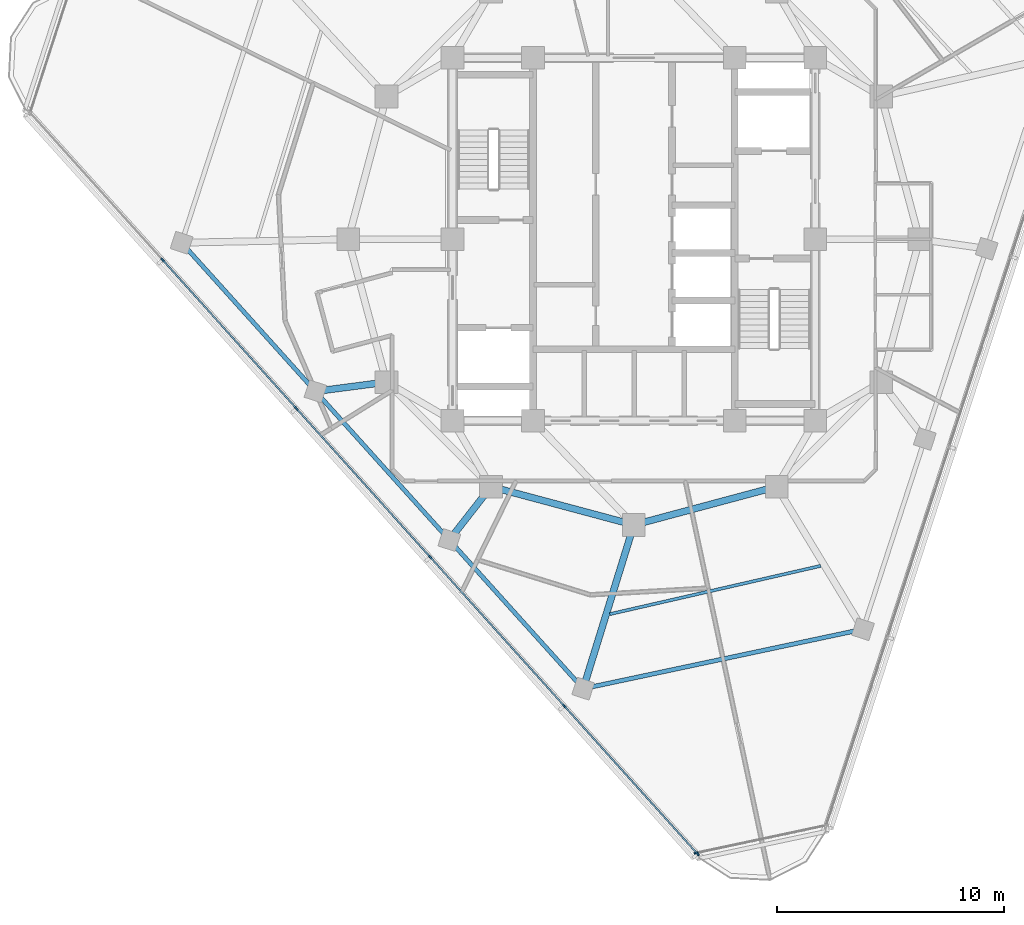
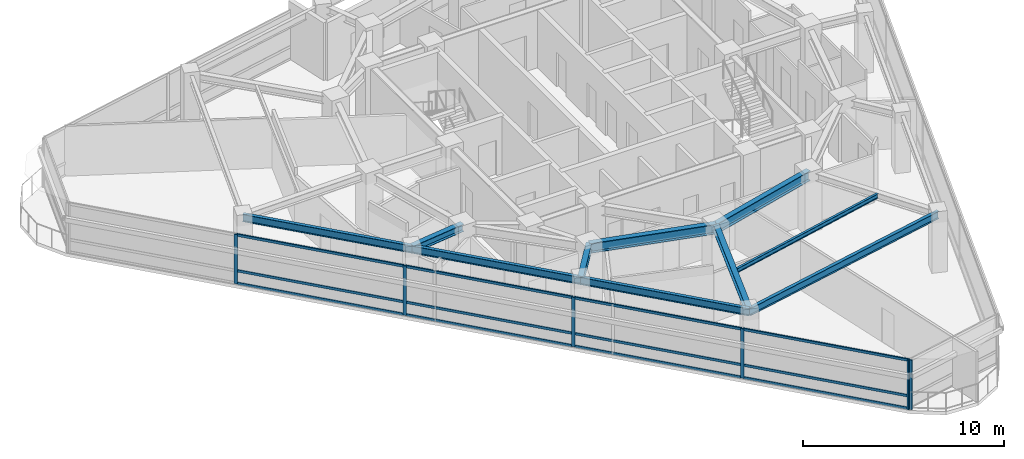
# One storey, part 2 of 15: 18 members, 10 beams, 2 elements without a shape of their own.
"""IFC4 building model written with IfcOpenShell, lengths in metres."""

from ifc_helpers import new_model, si_unit, direction, frame, origin, origin_2d, place, context, subcontext, project, spatial, rectangle, i_section, extrude, material, layer, layer_set, material_profile, profile_set, type_object, element, aggregate, save


model = new_model("IFC4")

# Units and contexts
model_context = context("Model", 3, precision=1e-05, world=origin(), true_north=direction((0.0, 1.0)))
body_context = subcontext(model_context, "Body", "Model", "MODEL_VIEW")
ifc_project = project(units=[si_unit("LENGTHUNIT", "METRE"), si_unit("AREAUNIT", "SQUARE_METRE"), si_unit("VOLUMEUNIT", "CUBIC_METRE"), si_unit("PLANEANGLEUNIT", "RADIAN"), si_unit("MASSUNIT", "GRAM", prefix="KILO")], contexts=[model_context])

# Site, building, storey
site_placement = place(None, origin())
site = spatial("IfcSite", under=ifc_project, at=site_placement, CompositionType="ELEMENT")
building_placement = place(site_placement, origin())
building = spatial("IfcBuilding", under=site, at=building_placement, Name="Terralouvre Media Tower", CompositionType="ELEMENT")
storey_placement = place(building_placement, frame((0.0, 0.0, 305.39990234375)))
storey = spatial("IfcBuildingStorey", under=building, at=storey_placement, Name="L79", CompositionType="ELEMENT", Elevation=305.39990234375)

# Beam
ifc_material_1 = material(Name="Structural steel S355J2", Category="steel")
ifc_material_profile_1 = material_profile(ifc_material_1, i_section(OverallWidth=0.135009765625, OverallDepth=0.27001953125, WebThickness=0.006591796875, FlangeThickness=0.01025390625, at=origin_2d()), Name="IPE 270")
ifc_profile_set_1 = profile_set([ifc_material_profile_1], Name="Structural steel S355J2")
beam_type_1 = type_object("IfcBeamType", Name="Composite Floor Joist J-IPE270 (IPE 270)", PredefinedType="JOIST", material=ifc_profile_set_1)
beam_1_placement = place(storey_placement, frame((-1.062744140625, -16.534912109375, 3.364990234375), z_axis=(0.974794010314, 0.223106784873, 0.0), x_axis=(-0.223106784873, 0.974794010314, 0.0)))
element("IfcBeam", 1, at=beam_1_placement, inside=storey, type_object=beam_type_1, Name="L79 Framing Beam JT-L79-02", PredefinedType="JOIST", context=body_context, shape_type="SweptSolid", body=[
    extrude(i_section(OverallWidth=0.135009765625, OverallDepth=0.27001953125, WebThickness=0.006591796875, FlangeThickness=0.01025390625, at=origin_2d()), origin(), (0.0, 0.0, 1.0), 9.544189453125),
])

# Curtain wall, members
ifc_material_2 = material(Name="Low-iron laminated double glazing with solar-control coating", Category="glass")
ifc_layer_1 = layer(ifc_material_2, 0.1650390625, Name="Faceted Glass-Point Crown Curtain Wall CW-06")
ifc_layer_set_1 = layer_set([ifc_layer_1], Name="Low-iron laminated double glazing with solar-control coating")
curtain_wall_type_1 = type_object("IfcCurtainWallType", Name="Faceted Glass-Point Crown Curtain Wall CW-06", PredefinedType="NOTDEFINED", material=ifc_layer_set_1)
curtain_wall_1_placement = place(storey_placement, origin())
curtain_wall_1 = element("IfcCurtainWall", 2, at=curtain_wall_1_placement, inside=storey, type_object=curtain_wall_type_1, Name="L79 Facade Curtain Wall F2", PredefinedType="NOTDEFINED")
ifc_material_3 = material(Name="Anodised extruded aluminium 6063-T6", Category="aluminium")
ifc_material_profile_2 = material_profile(ifc_material_3, rectangle(XDim=0.074951171875, YDim=0.14990234375, at=origin_2d()), Name="ALU 75x150")
ifc_profile_set_2 = profile_set([ifc_material_profile_2], Name="Anodised extruded aluminium 6063-T6")
member_type_1 = type_object("IfcMemberType", Name="Curtain-Wall Horizontal Transom TR-150", PredefinedType="USERDEFINED", material=ifc_profile_set_2)
member_1_placement = place(storey_placement, frame((-20.763671875, -0.935302734375, 0.03759765625), z_axis=(0.669121968521, -0.74315260293, 0.0), x_axis=(0.74315260293, 0.669121968521, 0.0)))
member_1 = element("IfcMember", 3, at=member_1_placement, type_object=member_type_1, Name="CW-06 transom 2.1", ObjectType="TRANSOM", PredefinedType="USERDEFINED", context=body_context, shape_type="SweptSolid", body=[
    extrude(rectangle(XDim=0.074951171875, YDim=0.14990234375, at=origin_2d()), origin(), (0.0, 0.0, 1.0), 8.749267578125),
])
member_2_placement = place(storey_placement, frame((-20.763671875, -0.935302734375, 0.800048828125), z_axis=(0.669121968521, -0.74315260293, 0.0), x_axis=(0.74315260293, 0.669121968521, 0.0)))
member_2 = element("IfcMember", 4, at=member_2_placement, type_object=member_type_1, Name="CW-06 transom 2.2", ObjectType="TRANSOM", PredefinedType="USERDEFINED", context=body_context, shape_type="SweptSolid", body=[
    extrude(rectangle(XDim=0.074951171875, YDim=0.14990234375, at=origin_2d()), origin(), (0.0, 0.0, 1.0), 8.749267578125),
])
member_3_placement = place(storey_placement, frame((-20.763671875, -0.935302734375, 2.962646484375), z_axis=(0.669121968521, -0.74315260293, 0.0), x_axis=(0.74315260293, 0.669121968521, 0.0)))
member_3 = element("IfcMember", 5, at=member_3_placement, type_object=member_type_1, Name="CW-06 transom 2.3", ObjectType="TRANSOM", PredefinedType="USERDEFINED", context=body_context, shape_type="SweptSolid", body=[
    extrude(rectangle(XDim=0.074951171875, YDim=0.14990234375, at=origin_2d()), origin(), (0.0, 0.0, 1.0), 8.749267578125),
])
member_4_placement = place(storey_placement, frame((-14.859375, -7.492919921875, 0.03759765625), z_axis=(0.669135844476, -0.743140109022, 0.0), x_axis=(0.743140109022, 0.669135844476, 0.0)))
member_4 = element("IfcMember", 6, at=member_4_placement, type_object=member_type_1, Name="CW-06 transom 3.1", ObjectType="TRANSOM", PredefinedType="USERDEFINED", context=body_context, shape_type="SweptSolid", body=[
    extrude(rectangle(XDim=0.074951171875, YDim=0.14990234375, at=origin_2d()), origin(), (0.0, 0.0, 1.0), 8.7490234375),
])
member_5_placement = place(storey_placement, frame((-14.859375, -7.492919921875, 0.800048828125), z_axis=(0.669135844476, -0.743140109022, 0.0), x_axis=(0.743140109022, 0.669135844476, 0.0)))
member_5 = element("IfcMember", 7, at=member_5_placement, type_object=member_type_1, Name="CW-06 transom 3.2", ObjectType="TRANSOM", PredefinedType="USERDEFINED", context=body_context, shape_type="SweptSolid", body=[
    extrude(rectangle(XDim=0.074951171875, YDim=0.14990234375, at=origin_2d()), origin(), (0.0, 0.0, 1.0), 8.7490234375),
])
member_6_placement = place(storey_placement, frame((-14.859375, -7.492919921875, 2.962646484375), z_axis=(0.669135844476, -0.743140109022, 0.0), x_axis=(0.743140109022, 0.669135844476, 0.0)))
member_6 = element("IfcMember", 8, at=member_6_placement, type_object=member_type_1, Name="CW-06 transom 3.3", ObjectType="TRANSOM", PredefinedType="USERDEFINED", context=body_context, shape_type="SweptSolid", body=[
    extrude(rectangle(XDim=0.074951171875, YDim=0.14990234375, at=origin_2d()), origin(), (0.0, 0.0, 1.0), 8.7490234375),
])
member_7_placement = place(storey_placement, frame((-8.954833984375, -14.050537109375, 0.03759765625), z_axis=(0.669135844476, -0.743140109022, 0.0), x_axis=(0.743140109022, 0.669135844476, 0.0)))
member_7 = element("IfcMember", 9, at=member_7_placement, type_object=member_type_1, Name="CW-06 transom 4.1", ObjectType="TRANSOM", PredefinedType="USERDEFINED", context=body_context, shape_type="SweptSolid", body=[
    extrude(rectangle(XDim=0.074951171875, YDim=0.14990234375, at=origin_2d()), origin(), (0.0, 0.0, 1.0), 8.7490234375),
])
member_8_placement = place(storey_placement, frame((-8.954833984375, -14.050537109375, 0.800048828125), z_axis=(0.669135844476, -0.743140109022, 0.0), x_axis=(0.743140109022, 0.669135844476, 0.0)))
member_8 = element("IfcMember", 10, at=member_8_placement, type_object=member_type_1, Name="CW-06 transom 4.2", ObjectType="TRANSOM", PredefinedType="USERDEFINED", context=body_context, shape_type="SweptSolid", body=[
    extrude(rectangle(XDim=0.074951171875, YDim=0.14990234375, at=origin_2d()), origin(), (0.0, 0.0, 1.0), 8.7490234375),
])
member_9_placement = place(storey_placement, frame((-8.954833984375, -14.050537109375, 2.962646484375), z_axis=(0.669135844476, -0.743140109022, 0.0), x_axis=(0.743140109022, 0.669135844476, 0.0)))
member_9 = element("IfcMember", 11, at=member_9_placement, type_object=member_type_1, Name="CW-06 transom 4.3", ObjectType="TRANSOM", PredefinedType="USERDEFINED", context=body_context, shape_type="SweptSolid", body=[
    extrude(rectangle(XDim=0.074951171875, YDim=0.14990234375, at=origin_2d()), origin(), (0.0, 0.0, 1.0), 8.7490234375),
])
member_10_placement = place(storey_placement, frame((-3.050537109375, -20.60791015625, 0.03759765625), z_axis=(0.669130389016, -0.743145021174, 0.0), x_axis=(0.743145021174, 0.669130389016, 0.0)))
member_10 = element("IfcMember", 12, at=member_10_placement, type_object=member_type_1, Name="CW-06 transom 5.1", ObjectType="TRANSOM", PredefinedType="USERDEFINED", context=body_context, shape_type="SweptSolid", body=[
    extrude(rectangle(XDim=0.074951171875, YDim=0.14990234375, at=origin_2d()), origin(), (0.0, 0.0, 1.0), 8.71142578125),
])
member_11_placement = place(storey_placement, frame((-3.050537109375, -20.60791015625, 0.800048828125), z_axis=(0.669130389016, -0.743145021174, 0.0), x_axis=(0.743145021174, 0.669130389016, 0.0)))
member_11 = element("IfcMember", 13, at=member_11_placement, type_object=member_type_1, Name="CW-06 transom 5.2", ObjectType="TRANSOM", PredefinedType="USERDEFINED", context=body_context, shape_type="SweptSolid", body=[
    extrude(rectangle(XDim=0.074951171875, YDim=0.14990234375, at=origin_2d()), origin(), (0.0, 0.0, 1.0), 8.71142578125),
])
member_12_placement = place(storey_placement, frame((-3.050537109375, -20.60791015625, 2.962646484375), z_axis=(0.669130389016, -0.743145021174, 0.0), x_axis=(0.743145021174, 0.669130389016, 0.0)))
member_12 = element("IfcMember", 14, at=member_12_placement, type_object=member_type_1, Name="CW-06 transom 5.3", ObjectType="TRANSOM", PredefinedType="USERDEFINED", context=body_context, shape_type="SweptSolid", body=[
    extrude(rectangle(XDim=0.074951171875, YDim=0.14990234375, at=origin_2d()), origin(), (0.0, 0.0, 1.0), 8.71142578125),
])
ifc_material_4 = material(Name="Anodised extruded aluminium 6063-T6", Category="aluminium")
ifc_material_profile_3 = material_profile(ifc_material_4, rectangle(XDim=0.074951171875, YDim=0.179931640625, at=origin_2d()), Name="ALU 75x180")
ifc_profile_set_3 = profile_set([ifc_material_profile_3], Name="Anodised extruded aluminium 6063-T6")
member_type_2 = type_object("IfcMemberType", Name="Curtain-Wall Vertical Mullion ML-180", PredefinedType="MULLION", material=ifc_profile_set_3)
member_13_placement = place(storey_placement, frame((-20.788818359375, -0.907470703125, 0.0), z_axis=(0.0, 0.0, 1.0), x_axis=(0.743144855036, 0.669130573531, 0.0)))
member_13 = element("IfcMember", 15, at=member_13_placement, type_object=member_type_2, Name="CW-06 mullion 2", PredefinedType="MULLION", context=body_context, shape_type="SweptSolid", body=[
    extrude(rectangle(XDim=0.074951171875, YDim=0.179931640625, at=origin_2d()), origin(), (0.0, 0.0, 1.0), 3.0),
])
member_14_placement = place(storey_placement, frame((-14.88427734375, -7.465087890625, 0.0), z_axis=(0.0, 0.0, 1.0), x_axis=(0.743144855036, 0.669130573531, 0.0)))
member_14 = element("IfcMember", 16, at=member_14_placement, type_object=member_type_2, Name="CW-06 mullion 3", PredefinedType="MULLION", context=body_context, shape_type="SweptSolid", body=[
    extrude(rectangle(XDim=0.074951171875, YDim=0.179931640625, at=origin_2d()), origin(), (0.0, 0.0, 1.0), 3.0),
])
member_15_placement = place(storey_placement, frame((-8.97998046875, -14.0224609375, 0.0), z_axis=(0.0, 0.0, 1.0), x_axis=(0.743144855036, 0.669130573531, 0.0)))
member_15 = element("IfcMember", 17, at=member_15_placement, type_object=member_type_2, Name="CW-06 mullion 4", PredefinedType="MULLION", context=body_context, shape_type="SweptSolid", body=[
    extrude(rectangle(XDim=0.074951171875, YDim=0.179931640625, at=origin_2d()), origin(), (0.0, 0.0, 1.0), 3.0),
])
member_16_placement = place(storey_placement, frame((-3.07568359375, -20.580078125, 0.0), z_axis=(0.0, 0.0, 1.0), x_axis=(0.743144855036, 0.669130573531, 0.0)))
member_16 = element("IfcMember", 18, at=member_16_placement, type_object=member_type_2, Name="CW-06 mullion 5", PredefinedType="MULLION", context=body_context, shape_type="SweptSolid", body=[
    extrude(rectangle(XDim=0.074951171875, YDim=0.179931640625, at=origin_2d()), origin(), (0.0, 0.0, 1.0), 3.0),
])
member_17_placement = place(storey_placement, frame((2.8037109375, -27.109619140625, 0.0), z_axis=(0.0, 0.0, 1.0), x_axis=(0.743144855036, 0.669130573531, 0.0)))
member_17 = element("IfcMember", 19, at=member_17_placement, type_object=member_type_2, Name="CW-06 mullion 6", PredefinedType="MULLION", context=body_context, shape_type="SweptSolid", body=[
    extrude(rectangle(XDim=0.074951171875, YDim=0.179931640625, at=origin_2d()), origin(), (0.0, 0.0, 1.0), 3.0),
])
aggregate(curtain_wall_1, [member_13, member_14, member_15, member_16, member_17, member_1, member_2, member_3, member_4, member_5, member_6, member_7, member_8, member_9, member_10, member_11, member_12])

# Curtain wall, member
ifc_material_5 = material(Name="Low-iron laminated double glazing with solar-control coating", Category="glass")
ifc_layer_2 = layer(ifc_material_5, 0.1650390625, Name="Rounded Wind-Corner Curved Glazing CW-04")
ifc_layer_set_2 = layer_set([ifc_layer_2], Name="Low-iron laminated double glazing with solar-control coating")
curtain_wall_type_2 = type_object("IfcCurtainWallType", Name="Rounded Wind-Corner Curved Glazing CW-04", PredefinedType="NOTDEFINED", material=ifc_layer_set_2)
curtain_wall_2_placement = place(storey_placement, origin())
curtain_wall_2 = element("IfcCurtainWall", 20, at=curtain_wall_2_placement, inside=storey, type_object=curtain_wall_type_2, Name="L79 Rounded Wind-Corner Curtain Wall C0", PredefinedType="NOTDEFINED")
member_18_placement = place(storey_placement, frame((2.747314453125, -27.0732421875, 0.0), z_axis=(0.0, 0.0, 1.0), x_axis=(-0.207911647592, 0.978147609922, 0.0)))
member_18 = element("IfcMember", 21, at=member_18_placement, type_object=member_type_2, Name="CW-04 mullion 1", PredefinedType="MULLION", context=body_context, shape_type="SweptSolid", body=[
    extrude(rectangle(XDim=0.074951171875, YDim=0.179931640625, at=origin_2d()), origin(), (0.0, 0.0, 1.0), 3.0),
])
aggregate(curtain_wall_2, [member_18])

# Beams
ifc_material_6 = material(Name="Structural steel S355J2", Category="steel")
ifc_material_profile_4 = material_profile(ifc_material_6, i_section(OverallWidth=0.18994140625, OverallDepth=0.449951171875, WebThickness=0.009521484375, FlangeThickness=0.0146484375, at=origin_2d()), Name="IPE 450")
ifc_profile_set_4 = profile_set([ifc_material_profile_4], Name="Structural steel S355J2")
beam_type_2 = type_object("IfcBeamType", Name="Perimeter Spandrel Beam SPB-450 (IPE 450)", PredefinedType="SPANDREL", material=ifc_profile_set_4)
for number, where, z_axis, x_axis, name in (
    (22, (-19.948974609375, -0.1513671875, 3.275146484375), (0.669117578136, -0.743156555935, 0.0), (0.743156555935, 0.669117578136, 0.0), "L79 Framing Beam BM-L79-PR01"),
    (23, (-14.044677734375, -6.708984375, 3.275146484375), (0.669146616148, -0.743130409887, 0.0), (0.743130409887, 0.669146616148, 0.0), "L79 Framing Beam BM-L79-PR02"),
    (24, (-8.14013671875, -13.266357421875, 3.275146484375), (0.669117578136, -0.743156555935, 0.0), (0.743156555935, 0.669117578136, 0.0), "L79 Framing Beam BM-L79-PR03"),
):
    element("IfcBeam", number, at=place(storey_placement, frame(where, z_axis=z_axis, x_axis=x_axis)), inside=storey, type_object=beam_type_2, Name=name, PredefinedType="SPANDREL", context=body_context, shape_type="SweptSolid", body=[
        extrude(i_section(OverallWidth=0.18994140625, OverallDepth=0.449951171875, WebThickness=0.009521484375, FlangeThickness=0.0146484375, at=origin_2d()), origin(), (0.0, 0.0, 1.0), 8.823974609375),
    ])
beam_2_placement = place(storey_placement, frame((-2.23583984375, -19.823974609375, 3.275146484375), z_axis=(0.978147391184, 0.207912676669, 0.0), x_axis=(-0.207912676669, 0.978147391184, 0.0)))
element("IfcBeam", 25, at=beam_2_placement, inside=storey, type_object=beam_type_2, Name="L79 Framing Beam BM-L79-PR04", PredefinedType="SPANDREL", context=body_context, shape_type="SweptSolid", body=[
    extrude(i_section(OverallWidth=0.18994140625, OverallDepth=0.449951171875, WebThickness=0.009521484375, FlangeThickness=0.0146484375, at=origin_2d()), origin(), (0.0, 0.0, 1.0), 12.6171875),
])
ifc_material_7 = material(Name="Structural steel S355J2", Category="steel")
ifc_material_profile_5 = material_profile(ifc_material_7, i_section(OverallWidth=0.300048828125, OverallDepth=0.449951171875, WebThickness=0.013916015625, FlangeThickness=0.02587890625, at=origin_2d()), Name="HEB 450")
ifc_profile_set_5 = profile_set([ifc_material_profile_5], Name="Structural steel S355J2")
beam_type_3 = type_object("IfcBeamType", Name="Primary Floor Girder B-HEB450 (HEB 450)", PredefinedType="BEAM", material=ifc_profile_set_5)
beam_3_placement = place(storey_placement, frame((-10.911865234375, -6.300048828125, 3.275146484375), z_axis=(-0.991587910477, -0.129434986756, 0.0), x_axis=(0.129434986756, -0.991587910477, 0.0)))
element("IfcBeam", 26, at=beam_3_placement, inside=storey, type_object=beam_type_3, Name="L79 Framing Beam BM-L79-RD02", PredefinedType="BEAM", context=body_context, shape_type="SweptSolid", body=[
    extrude(i_section(OverallWidth=0.300048828125, OverallDepth=0.449951171875, WebThickness=0.013916015625, FlangeThickness=0.02587890625, at=origin_2d()), origin(), (0.0, 0.0, 1.0), 3.159423828125),
])
beam_4_placement = place(storey_placement, frame((-6.300048828125, -10.911865234375, 3.275146484375), z_axis=(-0.615777211554, -0.787920316867, 0.0), x_axis=(0.787920316867, -0.615777211554, 0.0)))
element("IfcBeam", 27, at=beam_4_placement, inside=storey, type_object=beam_type_3, Name="L79 Framing Beam BM-L79-RD03", PredefinedType="BEAM", context=body_context, shape_type="SweptSolid", body=[
    extrude(i_section(OverallWidth=0.300048828125, OverallDepth=0.449951171875, WebThickness=0.013916015625, FlangeThickness=0.02587890625, at=origin_2d()), origin(), (0.0, 0.0, 1.0), 2.98828125),
])
beam_5_placement = place(storey_placement, frame((0.0, -12.60009765625, 3.275146484375), z_axis=(-0.295668996709, -0.955290450274, 0.0), x_axis=(0.955290450274, -0.295668996709, 0.0)))
element("IfcBeam", 28, at=beam_5_placement, inside=storey, type_object=beam_type_3, Name="L79 Framing Beam BM-L79-RD04", PredefinedType="BEAM", context=body_context, shape_type="SweptSolid", body=[
    extrude(i_section(OverallWidth=0.300048828125, OverallDepth=0.449951171875, WebThickness=0.013916015625, FlangeThickness=0.02587890625, at=origin_2d()), origin(), (0.0, 0.0, 1.0), 7.56201171875),
])
ifc_material_8 = material(Name="Structural steel S460M", Category="steel")
ifc_material_profile_6 = material_profile(ifc_material_8, i_section(OverallWidth=0.300048828125, OverallDepth=0.60009765625, WebThickness=0.015380859375, FlangeThickness=0.030029296875, at=origin_2d()), Name="HEB 600")
ifc_profile_set_6 = profile_set([ifc_material_profile_6], Name="Structural steel S460M")
beam_type_4 = type_object("IfcBeamType", Name="Primary Floor Girder B-HEB600 (HEB 600)", PredefinedType="BEAM", material=ifc_profile_set_6)
for number, where, z_axis, x_axis, name in (
    (29, (-6.300048828125, -10.911865234375, 3.2001953125), (0.965920481897, -0.258838989821, 0.0), (0.258838989821, 0.965920481897, 0.0), "L79 Framing Beam BM-L79-MR02"),
    (30, (0.0, -12.60009765625, 3.2001953125), (0.965920481897, 0.258838989821, 0.0), (-0.258838989821, 0.965920481897, 0.0), "L79 Framing Beam BM-L79-MR03"),
):
    element("IfcBeam", number, at=place(storey_placement, frame(where, z_axis=z_axis, x_axis=x_axis)), inside=storey, type_object=beam_type_4, Name=name, PredefinedType="BEAM", context=body_context, shape_type="SweptSolid", body=[
        extrude(i_section(OverallWidth=0.300048828125, OverallDepth=0.60009765625, WebThickness=0.015380859375, FlangeThickness=0.030029296875, at=origin_2d()), origin(), (0.0, 0.0, 1.0), 6.522216796875),
    ])

save(model, "model.ifc")
